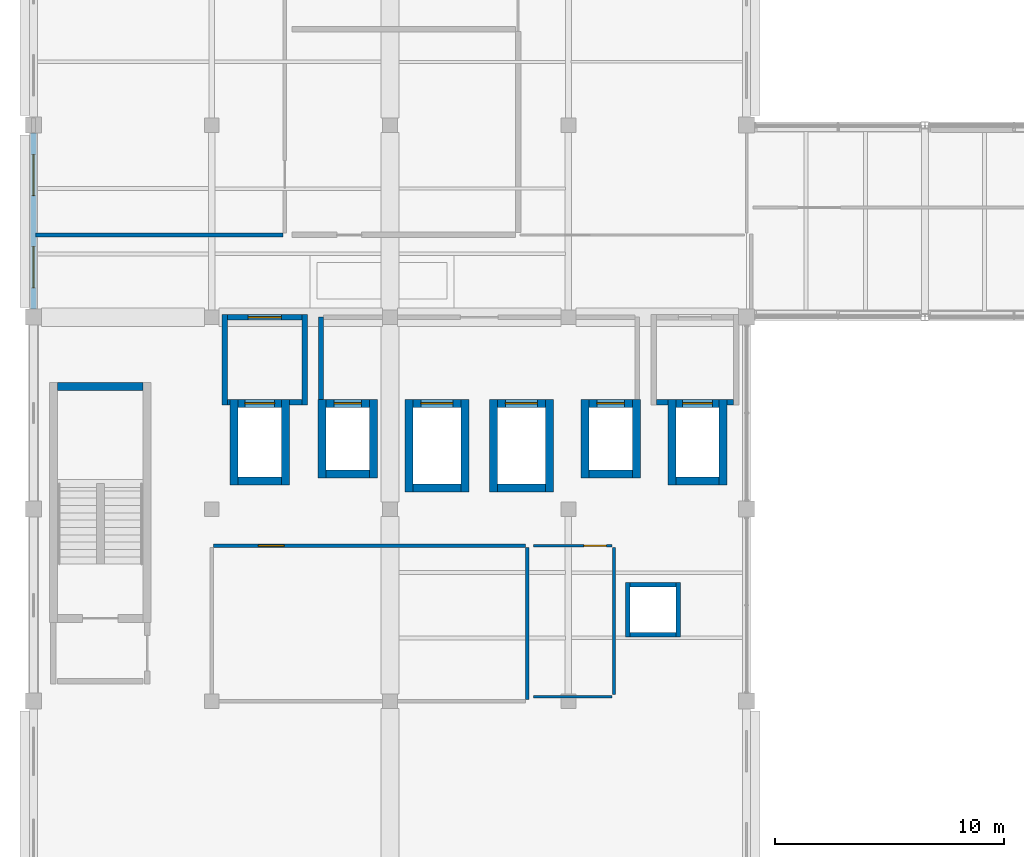
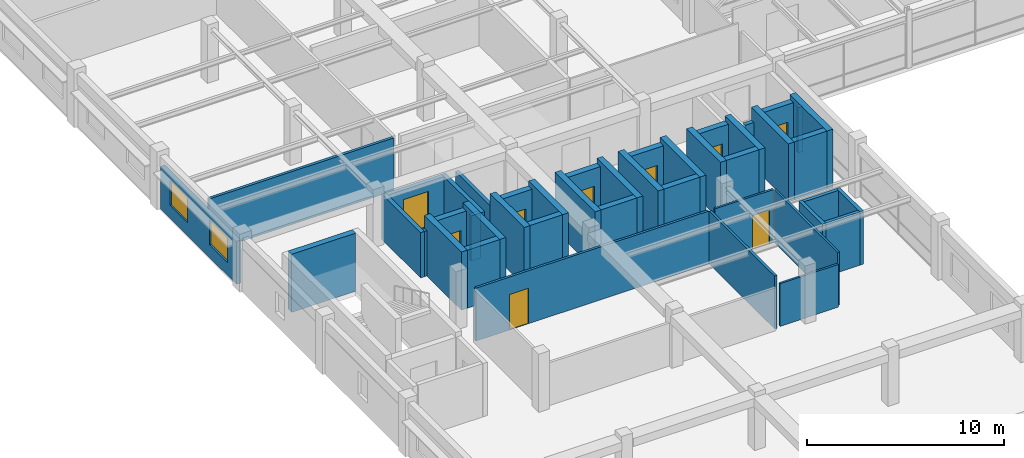
# One storey, part 38 of 49: 44 walls, 9 doors, 2 windows, 11 openings.
"""IFC4 building model written with IfcOpenShell, lengths in metres."""

from ifc_helpers import new_model, si_unit, direction, frame, frame_2d, origin, place, context, subcontext, project, spatial, rectangle, extrude, material, layer, layer_set, type_object, element, fill, save


model = new_model("IFC4")

# Units and contexts
model_context = context("Model", 3, precision=1e-05, world=origin(), true_north=direction((0.0, 1.0)))
body_context = subcontext(model_context, "Body", "Model", "MODEL_VIEW")
ifc_project = project(units=[si_unit("LENGTHUNIT", "METRE"), si_unit("AREAUNIT", "SQUARE_METRE"), si_unit("VOLUMEUNIT", "CUBIC_METRE"), si_unit("PLANEANGLEUNIT", "RADIAN"), si_unit("MASSUNIT", "GRAM", prefix="KILO"), si_unit("THERMODYNAMICTEMPERATUREUNIT", "KELVIN"), si_unit("POWERUNIT", "WATT")], contexts=[model_context])

# Site, building, storey
site_placement = place(None, origin())
site = spatial("IfcSite", under=ifc_project, at=site_placement, CompositionType="ELEMENT")
building_placement = place(site_placement, origin())
building = spatial("IfcBuilding", under=site, at=building_placement, Name="Srebrne Nadtorze General Hospital", CompositionType="ELEMENT")
storey_placement = place(building_placement, frame((0.0, 0.0, 26.10009765625)))
storey = spatial("IfcBuildingStorey", under=building, at=storey_placement, Name="L06", CompositionType="ELEMENT", Elevation=26.10009765625)

# Wall, opening, door
ifc_material_1 = material(Name="Gypsum Healthcare Partition")
ifc_layer_1 = layer(ifc_material_1, 0.139892578125)
ifc_layer_set_1 = layer_set([ifc_layer_1], Name="Gypsum Healthcare Partition")
wall_type_1 = type_object("IfcWallType", Name="Clinical partition 140", PredefinedType="PARTITIONING", material=ifc_layer_set_1)
wall_1_placement = place(storey_placement, frame((31.284912109375, 40.39990234375, 0.0), z_axis=(0.0, 0.0, 1.0), x_axis=(1.0, 0.0, 0.0)))
wall_1 = element("IfcWall", 1, at=wall_1_placement, inside=storey, type_object=wall_type_1, Name="Multidisciplinary Clinical Conference Room wall WL-INT-L06-2195", PredefinedType="PARTITIONING", context=body_context, shape_type="SweptSolid", body=[
    extrude(rectangle(XDim=13.630126953125, YDim=0.139892578125, at=frame_2d((6.81494140625, 0.0))), origin(), (0.0, 0.0, 1.0), 3.27978515625),
])
opening_1_placement = place(wall_1_placement, frame((1.95703125, 0.0, 0.0)))
opening_1 = element("IfcOpeningElement", 2, at=opening_1_placement, cuts=wall_1, Name="Opening D-L06-0473", PredefinedType="OPENING", context=body_context, shape_type="SweptSolid", body=[
    extrude(rectangle(XDim=1.1201171875, YDim=2.199951171875, at=frame_2d((0.56005859375, 1.10009765625))), frame((0.0, 0.08203125, 0.0), z_axis=(0.0, -1.0, 0.0), x_axis=(1.0, 0.0, 0.0)), (0.0, 0.0, 1.0), 0.163818359375),
])
ifc_material_2 = material(Name="Anodised Aluminium", Category="aluminium")
door_type_1 = type_object("IfcDoorType", Name="Single leaf door 1120x2200", OperationType="NOTDEFINED", PredefinedType="DOOR", material=ifc_material_2)
door_1_placement = place(opening_1_placement, frame((1.1201171875, 0.0, 0.0), z_axis=(0.0, 0.0, 1.0), x_axis=(-1.0, 0.0, 0.0)))
door_1 = element("IfcDoor", 3, at=door_1_placement, inside=storey, type_object=door_type_1, Name="Multidisciplinary Clinical Conference Room door D-L06-0473", OperationType="SINGLE_SWING_RIGHT", OverallHeight=2.199951171875, OverallWidth=1.1201171875, PredefinedType="DOOR", context=body_context, shape_type="SweptSolid", body=[
    extrude(rectangle(XDim=1.1201171875, YDim=2.199951171875, at=frame_2d((0.56005859375, 1.10009765625))), frame((0.0, 0.02490234375, 0.0), z_axis=(0.0, -1.0, 0.0), x_axis=(1.0, 0.0, 0.0)), (0.0, 0.0, 1.0), 0.050048828125),
])
fill(opening_1, door_1)

# Walls
wall_2_placement = place(storey_placement, frame((45.0, 33.68505859375, 0.0), z_axis=(0.0, 0.0, 1.0), x_axis=(0.0, 1.0, 0.0)))
element("IfcWall", 4, at=wall_2_placement, inside=storey, type_object=wall_type_1, Name="Multidisciplinary Clinical Conference Room wall WL-INT-L06-2198", PredefinedType="PARTITIONING", context=body_context, shape_type="SweptSolid", body=[
    extrude(rectangle(XDim=6.6298828125, YDim=0.139892578125, at=frame_2d((3.31494140625, 0.0))), origin(), (0.0, 0.0, 1.0), 3.27978515625),
])
ifc_material_3 = material(Name="Gypsum Healthcare Partition")
ifc_layer_2 = layer(ifc_material_3, 0.159912109375)
ifc_layer_set_2 = layer_set([ifc_layer_2], Name="Gypsum Healthcare Partition")
wall_type_2 = type_object("IfcWallType", Name="Clinical partition 160", PredefinedType="PARTITIONING", material=ifc_layer_set_2)
wall_3_placement = place(storey_placement, frame((23.485107421875, 54.0, 0.0), z_axis=(0.0, 0.0, 1.0), x_axis=(1.0, 0.0, 0.0)))
element("IfcWall", 5, at=wall_3_placement, inside=storey, type_object=wall_type_2, Name="Hydrotherapy and Gait Analysis Clinic wall WL-INT-L06-2179", PredefinedType="PARTITIONING", context=body_context, shape_type="SweptSolid", body=[
    extrude(rectangle(XDim=10.829833984375, YDim=0.159912109375, at=frame_2d((5.4150390625, 0.0))), origin(), (0.0, 0.0, 1.0), 3.27978515625),
])
ifc_material_4 = material(Name="Gypsum Healthcare Partition")
ifc_layer_3 = layer(ifc_material_4, 0.199951171875)
ifc_layer_set_3 = layer_set([ifc_layer_3], Name="Gypsum Healthcare Partition")
wall_type_3 = type_object("IfcWallType", Name="Compartment wall 200", PredefinedType="STANDARD", material=ifc_layer_set_3)
wall_4_placement = place(storey_placement, frame((35.97998046875, 46.81005859375, 0.0), z_axis=(0.0, 0.0, 1.0), x_axis=(0.0, 1.0, 0.0)))
element("IfcWall", 6, at=wall_4_placement, inside=storey, type_object=wall_type_3, Name="Lift lobby side wall WL-INT-L06-1127", PredefinedType="STANDARD", context=body_context, shape_type="SweptSolid", body=[
    extrude(rectangle(XDim=3.58984375, YDim=0.199951171875, at=frame_2d((1.794921875, 0.0))), origin(), (0.0, 0.0, 1.0), 2.7998046875),
])
for number, where, z_axis, x_axis, name in (
    (7, (49.39990234375, 36.39990234375, 0.0), (0.0, 0.0, 1.0), (0.0, 1.0, 0.0), "MEP riser wall WL-INT-L06-1138"),
    (8, (51.60009765625, 36.39990234375, 0.0), (0.0, 0.0, 1.0), (0.0, 1.0, 0.0), "MEP riser wall WL-INT-L06-1139"),
):
    element("IfcWall", number, at=place(storey_placement, frame(where, z_axis=z_axis, x_axis=x_axis)), inside=storey, type_object=wall_type_3, Name=name, PredefinedType="STANDARD", context=body_context, shape_type="SweptSolid", body=[
        extrude(rectangle(XDim=2.400146484375, YDim=0.199951171875, at=frame_2d((1.2001953125, 0.0))), origin(), (0.0, 0.0, 1.0), 3.2998046875),
    ])
for number, where, z_axis, x_axis, name in (
    (9, (49.5, 36.5, 0.0), (0.0, 0.0, 1.0), (1.0, 0.0, 0.0), "MEP riser wall WL-INT-L06-1140"),
    (10, (49.5, 38.699951171875, 0.0), (0.0, 0.0, 1.0), (1.0, 0.0, 0.0), "MEP riser wall WL-INT-L06-1141"),
):
    element("IfcWall", number, at=place(storey_placement, frame(where, z_axis=z_axis, x_axis=x_axis)), inside=storey, type_object=wall_type_3, Name=name, PredefinedType="STANDARD", context=body_context, shape_type="SweptSolid", body=[
        extrude(rectangle(XDim=2.0, YDim=0.199951171875, at=frame_2d((1.0, 0.0))), origin(), (0.0, 0.0, 1.0), 3.2998046875),
    ])
ifc_material_5 = material(Name="Gypsum Healthcare Partition")
ifc_layer_4 = layer(ifc_material_5, 0.239990234375)
ifc_layer_set_4 = layer_set([ifc_layer_4], Name="Gypsum Healthcare Partition")
wall_type_4 = type_object("IfcWallType", Name="Corridor fire wall 240", PredefinedType="STANDARD", material=ifc_layer_set_4)
for number, where, z_axis, x_axis, name in (
    (11, (31.760009765625, 46.570068359375, 0.0), (0.0, 0.0, 1.0), (0.0, 1.0, 0.0), "FF lift lobby wall WL-INT-L06-1117"),
    (12, (35.27001953125, 46.570068359375, 0.0), (0.0, 0.0, 1.0), (0.0, 1.0, 0.0), "FF lift lobby wall WL-INT-L06-1118"),
):
    element("IfcWall", number, at=place(storey_placement, frame(where, z_axis=z_axis, x_axis=x_axis)), inside=storey, type_object=wall_type_4, Name=name, PredefinedType="STANDARD", context=body_context, shape_type="SweptSolid", body=[
        extrude(rectangle(XDim=3.949951171875, YDim=0.239990234375, at=frame_2d((1.97509765625, 0.0))), origin(), (0.0, 0.0, 1.0), 2.7998046875),
    ])
wall_5_placement = place(storey_placement, frame((31.8798828125, 46.68994140625, 0.0), z_axis=(0.0, 0.0, 1.0), x_axis=(1.0, 0.0, 0.0)))
element("IfcWall", 13, at=wall_5_placement, inside=storey, type_object=wall_type_4, Name="FF lift lobby return wall WL-INT-L06-1119", PredefinedType="STANDARD", context=body_context, shape_type="SweptSolid", body=[
    extrude(rectangle(XDim=0.1201171875, YDim=0.239990234375, at=frame_2d((0.06005859375, 0.0))), origin(), (0.0, 0.0, 1.0), 2.7998046875),
])
wall_6_placement = place(storey_placement, frame((34.60009765625, 46.68994140625, 0.0), z_axis=(0.0, 0.0, 1.0), x_axis=(1.0, 0.0, 0.0)))
element("IfcWall", 14, at=wall_6_placement, inside=storey, type_object=wall_type_4, Name="FF lift lobby return wall WL-INT-L06-1120", PredefinedType="STANDARD", context=body_context, shape_type="SweptSolid", body=[
    extrude(rectangle(XDim=0.5498046875, YDim=0.239990234375, at=frame_2d((0.27490234375, 0.0))), origin(), (0.0, 0.0, 1.0), 2.7998046875),
])

# Wall, opening, door
wall_7_placement = place(storey_placement, frame((31.8798828125, 50.39990234375, 0.0), z_axis=(0.0, 0.0, 1.0), x_axis=(1.0, 0.0, 0.0)))
wall_7 = element("IfcWall", 15, at=wall_7_placement, inside=storey, type_object=wall_type_4, Name="FF lift lobby front wall WL-INT-L06-1121", PredefinedType="STANDARD", context=body_context, shape_type="SweptSolid", body=[
    extrude(rectangle(XDim=3.27001953125, YDim=0.239990234375, at=frame_2d((1.635009765625, 0.0))), origin(), (0.0, 0.0, 1.0), 2.7998046875),
])
opening_2_placement = place(wall_7_placement, frame((0.909912109375, 0.0, 0.0)))
opening_2 = element("IfcOpeningElement", 16, at=opening_2_placement, cuts=wall_7, Name="Opening D-L06-0152", PredefinedType="OPENING", context=body_context, shape_type="SweptSolid", body=[
    extrude(rectangle(XDim=1.449951171875, YDim=2.199951171875, at=frame_2d((0.72509765625, 1.10009765625))), frame((0.0, 0.1318359375, 0.0), z_axis=(0.0, -1.0, 0.0), x_axis=(1.0, 0.0, 0.0)), (0.0, 0.0, 1.0), 0.263916015625),
])
ifc_material_6 = material(Name="Anodised Aluminium", Category="aluminium")
door_type_2 = type_object("IfcDoorType", Name="Double leaf door 1450x2200", OperationType="DOUBLE_DOOR_SINGLE_SWING", PredefinedType="DOOR", material=ifc_material_6)
door_2_placement = place(opening_2_placement, origin())
door_2 = element("IfcDoor", 17, at=door_2_placement, inside=storey, type_object=door_type_2, Name="Firefighting lift lobby door D-L06-0152", OperationType="DOUBLE_DOOR_SINGLE_SWING", OverallHeight=2.199951171875, OverallWidth=1.449951171875, PredefinedType="DOOR", context=body_context, shape_type="SweptSolid", body=[
    extrude(rectangle(XDim=1.449951171875, YDim=2.199951171875, at=frame_2d((0.72509765625, 1.10009765625))), frame((0.0, 0.02490234375, 0.0), z_axis=(0.0, -1.0, 0.0), x_axis=(1.0, 0.0, 0.0)), (0.0, 0.0, 1.0), 0.050048828125),
])
fill(opening_2, door_2)

# Walls
wall_8_placement = place(storey_placement, frame((50.64990234375, 46.68994140625, 0.0), z_axis=(0.0, 0.0, 1.0), x_axis=(1.0, 0.0, 0.0)))
element("IfcWall", 18, at=wall_8_placement, inside=storey, type_object=wall_type_4, Name="FF lift lobby return wall WL-INT-L06-1124", PredefinedType="STANDARD", context=body_context, shape_type="SweptSolid", body=[
    extrude(rectangle(XDim=0.5, YDim=0.239990234375, at=frame_2d((0.25, 0.0))), origin(), (0.0, 0.0, 1.0), 2.7998046875),
])
wall_9_placement = place(storey_placement, frame((53.75, 46.68994140625, 0.0), z_axis=(0.0, 0.0, 1.0), x_axis=(1.0, 0.0, 0.0)))
element("IfcWall", 19, at=wall_9_placement, inside=storey, type_object=wall_type_4, Name="FF lift lobby return wall WL-INT-L06-1125", PredefinedType="STANDARD", context=body_context, shape_type="SweptSolid", body=[
    extrude(rectangle(XDim=0.27001953125, YDim=0.239990234375, at=frame_2d((0.135009765625, 0.0))), origin(), (0.0, 0.0, 1.0), 2.7998046875),
])

# Wall, opening, door
ifc_material_7 = material(Name="Gypsum Healthcare Partition")
ifc_layer_5 = layer(ifc_material_7, 0.1201171875)
ifc_layer_set_5 = layer_set([ifc_layer_5], Name="Gypsum Healthcare Partition")
wall_type_5 = type_object("IfcWallType", Name="En-suite partition 120", PredefinedType="PARTITIONING", material=ifc_layer_set_5)
wall_10_placement = place(storey_placement, frame((45.284912109375, 40.39990234375, 0.0), z_axis=(0.0, 0.0, 1.0), x_axis=(1.0, 0.0, 0.0)))
wall_10 = element("IfcWall", 20, at=wall_10_placement, inside=storey, type_object=wall_type_5, Name="Staff WC wall WL-INT-L06-2245", PredefinedType="PARTITIONING", context=body_context, shape_type="SweptSolid", body=[
    extrude(rectangle(XDim=3.43017578125, YDim=0.1201171875, at=frame_2d((1.715087890625, 0.0))), origin(), (0.0, 0.0, 1.0), 3.27978515625),
])
opening_3_placement = place(wall_10_placement, frame((2.199951171875, 0.0, 0.0)))
opening_3 = element("IfcOpeningElement", 21, at=opening_3_placement, cuts=wall_10, Name="Opening D-L06-0488", PredefinedType="OPENING", context=body_context, shape_type="SweptSolid", body=[
    extrude(rectangle(XDim=0.97998046875, YDim=2.10009765625, at=frame_2d((0.489990234375, 1.050048828125))), frame((0.0, 0.072021484375, 0.0), z_axis=(0.0, -1.0, 0.0), x_axis=(1.0, 0.0, 0.0)), (0.0, 0.0, 1.0), 0.14404296875),
])
ifc_material_8 = material(Name="Anodised Aluminium", Category="aluminium")
door_type_3 = type_object("IfcDoorType", Name="Single leaf door 980x2100", OperationType="NOTDEFINED", PredefinedType="DOOR", material=ifc_material_8)
door_3_placement = place(opening_3_placement, frame((0.97998046875, 0.0, 0.0), z_axis=(0.0, 0.0, 1.0), x_axis=(-1.0, 0.0, 0.0)))
door_3 = element("IfcDoor", 22, at=door_3_placement, inside=storey, type_object=door_type_3, Name="Staff WC door D-L06-0488", OperationType="SINGLE_SWING_RIGHT", OverallHeight=2.10009765625, OverallWidth=0.97998046875, PredefinedType="DOOR", context=body_context, shape_type="SweptSolid", body=[
    extrude(rectangle(XDim=0.97998046875, YDim=2.10009765625, at=frame_2d((0.489990234375, 1.050048828125))), frame((0.0, 0.02490234375, 0.0), z_axis=(0.0, -1.0, 0.0), x_axis=(1.0, 0.0, 0.0)), (0.0, 0.0, 1.0), 0.050048828125),
])
fill(opening_3, door_3)

# Walls
wall_11_placement = place(storey_placement, frame((45.284912109375, 33.800048828125, 0.0), z_axis=(0.0, 0.0, 1.0), x_axis=(1.0, 0.0, 0.0)))
element("IfcWall", 23, at=wall_11_placement, inside=storey, type_object=wall_type_5, Name="Staff WC wall WL-INT-L06-2246", PredefinedType="PARTITIONING", context=body_context, shape_type="SweptSolid", body=[
    extrude(rectangle(XDim=3.43017578125, YDim=0.1201171875, at=frame_2d((1.715087890625, 0.0))), origin(), (0.0, 0.0, 1.0), 2.64990234375),
])
wall_12_placement = place(storey_placement, frame((48.800048828125, 33.885009765625, 0.0), z_axis=(0.0, 0.0, 1.0), x_axis=(0.0, 1.0, 0.0)))
element("IfcWall", 24, at=wall_12_placement, inside=storey, type_object=wall_type_5, Name="Staff WC wall WL-INT-L06-2247", PredefinedType="PARTITIONING", context=body_context, shape_type="SweptSolid", body=[
    extrude(rectangle(XDim=6.429931640625, YDim=0.1201171875, at=frame_2d((3.21484375, 0.0))), origin(), (0.0, 0.0, 1.0), 3.27978515625),
])
ifc_material_9 = material(Name="Concrete C40/50", Category="concrete")
ifc_layer_6 = layer(ifc_material_9, 0.35009765625)
ifc_layer_set_6 = layer_set([ifc_layer_6], Name="Concrete C40/50")
wall_type_6 = type_object("IfcWallType", Name="Shear core wall 350", PredefinedType="SHEAR", material=ifc_layer_set_6)
for number, where, z_axis, x_axis, name in (
    (25, (24.449951171875, 47.375, 0.0), (0.0, 0.0, 1.0), (1.0, 0.0, 0.0), "Stair core wall ST-01 WL-INT-L06-0379"),
    (26, (32.175048828125, 43.06005859375, 0.0), (0.0, 0.0, 1.0), (0.0, 1.0, 0.0), "Lift shaft wall FL-01 WL-INT-L06-0494"),
    (27, (34.425048828125, 43.06005859375, 0.0), (0.0, 0.0, 1.0), (0.0, 1.0, 0.0), "Lift shaft wall FL-01 WL-INT-L06-0495"),
):
    element("IfcWall", number, at=place(storey_placement, frame(where, z_axis=z_axis, x_axis=x_axis)), inside=storey, type_object=wall_type_6, Name=name, PredefinedType="SHEAR", context=body_context, shape_type="SweptSolid", body=[
        extrude(rectangle(XDim=3.75, YDim=0.35009765625, at=frame_2d((1.875, 0.0))), origin(), (0.0, 0.0, 1.0), 3.599853515625),
    ])
wall_13_placement = place(storey_placement, frame((32.35009765625, 43.235107421875, 0.0), z_axis=(0.0, 0.0, 1.0), x_axis=(1.0, 0.0, 0.0)))
element("IfcWall", 28, at=wall_13_placement, inside=storey, type_object=wall_type_6, Name="Lift shaft back wall FL-01 WL-INT-L06-0496", PredefinedType="SHEAR", context=body_context, shape_type="SweptSolid", body=[
    extrude(rectangle(XDim=1.89990234375, YDim=0.35009765625, at=frame_2d((0.949951171875, 0.0))), origin(), (0.0, 0.0, 1.0), 3.599853515625),
])

# Wall, opening, door
wall_14_placement = place(storey_placement, frame((32.35009765625, 46.635009765625, 0.0), z_axis=(0.0, 0.0, 1.0), x_axis=(1.0, 0.0, 0.0)))
wall_14 = element("IfcWall", 29, at=wall_14_placement, inside=storey, type_object=wall_type_6, Name="Lift shaft front wall FL-01 WL-INT-L06-0497", PredefinedType="SHEAR", context=body_context, shape_type="SweptSolid", body=[
    extrude(rectangle(XDim=1.89990234375, YDim=0.35009765625, at=frame_2d((0.949951171875, 0.0))), origin(), (0.0, 0.0, 1.0), 3.2998046875),
])
opening_4_placement = place(wall_14_placement, frame((0.300048828125, 0.0, 0.0)))
opening_4 = element("IfcOpeningElement", 30, at=opening_4_placement, cuts=wall_14, Name="Opening LD-L06-008", PredefinedType="OPENING", context=body_context, shape_type="SweptSolid", body=[
    extrude(rectangle(XDim=1.300048828125, YDim=2.199951171875, at=frame_2d((0.64990234375, 1.10009765625))), frame((0.0, 0.18701171875, 0.0), z_axis=(0.0, -1.0, 0.0), x_axis=(1.0, 0.0, 0.0)), (0.0, 0.0, 1.0), 0.3740234375),
])
ifc_material_10 = material(Name="Anodised Aluminium", Category="aluminium")
door_type_4 = type_object("IfcDoorType", Name="Sliding lift door 1300x2200", OperationType="SLIDING_TO_LEFT", PredefinedType="DOOR", material=ifc_material_10)
door_4_placement = place(opening_4_placement, origin())
door_4 = element("IfcDoor", 31, at=door_4_placement, inside=storey, type_object=door_type_4, Name="Lift Landing Door LD-L06-008", OperationType="SLIDING_TO_LEFT", OverallHeight=2.199951171875, OverallWidth=1.300048828125, PredefinedType="DOOR", context=body_context, shape_type="SweptSolid", body=[
    extrude(rectangle(XDim=1.300048828125, YDim=2.199951171875, at=frame_2d((0.64990234375, 1.10009765625))), frame((0.0, 0.02490234375, 0.0), z_axis=(0.0, -1.0, 0.0), x_axis=(1.0, 0.0, 0.0)), (0.0, 0.0, 1.0), 0.050048828125),
])
fill(opening_4, door_4)

# Walls
for number, where, z_axis, x_axis, name in (
    (32, (36.02490234375, 43.360107421875, 0.0), (0.0, 0.0, 1.0), (0.0, 1.0, 0.0), "Lift shaft wall LP-01 WL-INT-L06-0534"),
    (33, (38.27490234375, 43.360107421875, 0.0), (0.0, 0.0, 1.0), (0.0, 1.0, 0.0), "Lift shaft wall LP-01 WL-INT-L06-0535"),
):
    element("IfcWall", number, at=place(storey_placement, frame(where, z_axis=z_axis, x_axis=x_axis)), inside=storey, type_object=wall_type_6, Name=name, PredefinedType="SHEAR", context=body_context, shape_type="SweptSolid", body=[
        extrude(rectangle(XDim=3.449951171875, YDim=0.35009765625, at=frame_2d((1.72509765625, 0.0))), origin(), (0.0, 0.0, 1.0), 3.599853515625),
    ])
wall_15_placement = place(storey_placement, frame((36.199951171875, 43.534912109375, 0.0), z_axis=(0.0, 0.0, 1.0), x_axis=(1.0, 0.0, 0.0)))
element("IfcWall", 34, at=wall_15_placement, inside=storey, type_object=wall_type_6, Name="Lift shaft back wall LP-01 WL-INT-L06-0536", PredefinedType="SHEAR", context=body_context, shape_type="SweptSolid", body=[
    extrude(rectangle(XDim=1.900146484375, YDim=0.35009765625, at=frame_2d((0.9501953125, 0.0))), origin(), (0.0, 0.0, 1.0), 3.599853515625),
])

# Wall, opening, door
wall_16_placement = place(storey_placement, frame((36.199951171875, 46.635009765625, 0.0), z_axis=(0.0, 0.0, 1.0), x_axis=(1.0, 0.0, 0.0)))
wall_16 = element("IfcWall", 35, at=wall_16_placement, inside=storey, type_object=wall_type_6, Name="Lift shaft front wall LP-01 WL-INT-L06-0537", PredefinedType="SHEAR", context=body_context, shape_type="SweptSolid", body=[
    extrude(rectangle(XDim=1.900146484375, YDim=0.35009765625, at=frame_2d((0.9501953125, 0.0))), origin(), (0.0, 0.0, 1.0), 3.2998046875),
])
opening_5_placement = place(wall_16_placement, frame((0.35009765625, 0.0, 0.0)))
opening_5 = element("IfcOpeningElement", 36, at=opening_5_placement, cuts=wall_16, Name="Opening LD-L06-018", PredefinedType="OPENING", context=body_context, shape_type="SweptSolid", body=[
    extrude(rectangle(XDim=1.199951171875, YDim=2.199951171875, at=frame_2d((0.60009765625, 1.10009765625))), frame((0.0, 0.18701171875, 0.0), z_axis=(0.0, -1.0, 0.0), x_axis=(1.0, 0.0, 0.0)), (0.0, 0.0, 1.0), 0.3740234375),
])
ifc_material_11 = material(Name="Anodised Aluminium", Category="aluminium")
door_type_5 = type_object("IfcDoorType", Name="Sliding lift door 1200x2200", OperationType="SLIDING_TO_LEFT", PredefinedType="DOOR", material=ifc_material_11)
door_5_placement = place(opening_5_placement, origin())
door_5 = element("IfcDoor", 37, at=door_5_placement, inside=storey, type_object=door_type_5, Name="Lift Landing Door LD-L06-018", OperationType="SLIDING_TO_LEFT", OverallHeight=2.199951171875, OverallWidth=1.199951171875, PredefinedType="DOOR", context=body_context, shape_type="SweptSolid", body=[
    extrude(rectangle(XDim=1.199951171875, YDim=2.199951171875, at=frame_2d((0.60009765625, 1.10009765625))), frame((0.0, 0.02490234375, 0.0), z_axis=(0.0, -1.0, 0.0), x_axis=(1.0, 0.0, 0.0)), (0.0, 0.0, 1.0), 0.050048828125),
])
fill(opening_5, door_5)

# Walls
for number, where, z_axis, x_axis, name in (
    (38, (39.824951171875, 42.760009765625, 0.0), (0.0, 0.0, 1.0), (0.0, 1.0, 0.0), "Lift shaft wall LS-01 WL-INT-L06-0570"),
    (39, (42.27490234375, 42.760009765625, 0.0), (0.0, 0.0, 1.0), (0.0, 1.0, 0.0), "Lift shaft wall LS-01 WL-INT-L06-0571"),
):
    element("IfcWall", number, at=place(storey_placement, frame(where, z_axis=z_axis, x_axis=x_axis)), inside=storey, type_object=wall_type_6, Name=name, PredefinedType="SHEAR", context=body_context, shape_type="SweptSolid", body=[
        extrude(rectangle(XDim=4.050048828125, YDim=0.35009765625, at=frame_2d((2.02490234375, 0.0))), origin(), (0.0, 0.0, 1.0), 3.599853515625),
    ])
wall_17_placement = place(storey_placement, frame((40.0, 42.93505859375, 0.0), z_axis=(0.0, 0.0, 1.0), x_axis=(1.0, 0.0, 0.0)))
element("IfcWall", 40, at=wall_17_placement, inside=storey, type_object=wall_type_6, Name="Lift shaft back wall LS-01 WL-INT-L06-0572", PredefinedType="SHEAR", context=body_context, shape_type="SweptSolid", body=[
    extrude(rectangle(XDim=2.10009765625, YDim=0.35009765625, at=frame_2d((1.050048828125, 0.0))), origin(), (0.0, 0.0, 1.0), 3.599853515625),
])

# Wall, opening, door
wall_18_placement = place(storey_placement, frame((40.0, 46.635009765625, 0.0), z_axis=(0.0, 0.0, 1.0), x_axis=(1.0, 0.0, 0.0)))
wall_18 = element("IfcWall", 41, at=wall_18_placement, inside=storey, type_object=wall_type_6, Name="Lift shaft front wall LS-01 WL-INT-L06-0573", PredefinedType="SHEAR", context=body_context, shape_type="SweptSolid", body=[
    extrude(rectangle(XDim=2.10009765625, YDim=0.35009765625, at=frame_2d((1.050048828125, 0.0))), origin(), (0.0, 0.0, 1.0), 3.2998046875),
])
opening_6_placement = place(wall_18_placement, frame((0.35009765625, 0.0, 0.0)))
opening_6 = element("IfcOpeningElement", 42, at=opening_6_placement, cuts=wall_18, Name="Opening LD-L06-027", PredefinedType="OPENING", context=body_context, shape_type="SweptSolid", body=[
    extrude(rectangle(XDim=1.39990234375, YDim=2.199951171875, at=frame_2d((0.699951171875, 1.10009765625))), frame((0.0, 0.18701171875, 0.0), z_axis=(0.0, -1.0, 0.0), x_axis=(1.0, 0.0, 0.0)), (0.0, 0.0, 1.0), 0.3740234375),
])
ifc_material_12 = material(Name="Anodised Aluminium", Category="aluminium")
door_type_6 = type_object("IfcDoorType", Name="Sliding lift door 1400x2200", OperationType="SLIDING_TO_LEFT", PredefinedType="DOOR", material=ifc_material_12)
door_6_placement = place(opening_6_placement, origin())
door_6 = element("IfcDoor", 43, at=door_6_placement, inside=storey, type_object=door_type_6, Name="Lift Landing Door LD-L06-027", OperationType="SLIDING_TO_LEFT", OverallHeight=2.199951171875, OverallWidth=1.39990234375, PredefinedType="DOOR", context=body_context, shape_type="SweptSolid", body=[
    extrude(rectangle(XDim=1.39990234375, YDim=2.199951171875, at=frame_2d((0.699951171875, 1.10009765625))), frame((0.0, 0.02490234375, 0.0), z_axis=(0.0, -1.0, 0.0), x_axis=(1.0, 0.0, 0.0)), (0.0, 0.0, 1.0), 0.050048828125),
])
fill(opening_6, door_6)

# Walls
for number, where, z_axis, x_axis, name in (
    (44, (43.52490234375, 42.760009765625, 0.0), (0.0, 0.0, 1.0), (0.0, 1.0, 0.0), "Lift shaft wall LS-02 WL-INT-L06-0610"),
    (45, (45.97509765625, 42.760009765625, 0.0), (0.0, 0.0, 1.0), (0.0, 1.0, 0.0), "Lift shaft wall LS-02 WL-INT-L06-0611"),
):
    element("IfcWall", number, at=place(storey_placement, frame(where, z_axis=z_axis, x_axis=x_axis)), inside=storey, type_object=wall_type_6, Name=name, PredefinedType="SHEAR", context=body_context, shape_type="SweptSolid", body=[
        extrude(rectangle(XDim=4.050048828125, YDim=0.35009765625, at=frame_2d((2.02490234375, 0.0))), origin(), (0.0, 0.0, 1.0), 3.599853515625),
    ])
wall_19_placement = place(storey_placement, frame((43.699951171875, 42.93505859375, 0.0), z_axis=(0.0, 0.0, 1.0), x_axis=(1.0, 0.0, 0.0)))
element("IfcWall", 46, at=wall_19_placement, inside=storey, type_object=wall_type_6, Name="Lift shaft back wall LS-02 WL-INT-L06-0612", PredefinedType="SHEAR", context=body_context, shape_type="SweptSolid", body=[
    extrude(rectangle(XDim=2.10009765625, YDim=0.35009765625, at=frame_2d((1.050048828125, 0.0))), origin(), (0.0, 0.0, 1.0), 3.599853515625),
])

# Wall, opening, door
wall_20_placement = place(storey_placement, frame((43.699951171875, 46.635009765625, 0.0), z_axis=(0.0, 0.0, 1.0), x_axis=(1.0, 0.0, 0.0)))
wall_20 = element("IfcWall", 47, at=wall_20_placement, inside=storey, type_object=wall_type_6, Name="Lift shaft front wall LS-02 WL-INT-L06-0613", PredefinedType="SHEAR", context=body_context, shape_type="SweptSolid", body=[
    extrude(rectangle(XDim=2.10009765625, YDim=0.35009765625, at=frame_2d((1.050048828125, 0.0))), origin(), (0.0, 0.0, 1.0), 3.2998046875),
])
opening_7_placement = place(wall_20_placement, frame((0.35009765625, 0.0, 0.0)))
opening_7 = element("IfcOpeningElement", 48, at=opening_7_placement, cuts=wall_20, Name="Opening LD-L06-037", PredefinedType="OPENING", context=body_context, shape_type="SweptSolid", body=[
    extrude(rectangle(XDim=1.39990234375, YDim=2.199951171875, at=frame_2d((0.699951171875, 1.10009765625))), frame((0.0, 0.18701171875, 0.0), z_axis=(0.0, -1.0, 0.0), x_axis=(1.0, 0.0, 0.0)), (0.0, 0.0, 1.0), 0.3740234375),
])
door_7_placement = place(opening_7_placement, origin())
door_7 = element("IfcDoor", 49, at=door_7_placement, inside=storey, type_object=door_type_6, Name="Lift Landing Door LD-L06-037", OperationType="SLIDING_TO_LEFT", OverallHeight=2.199951171875, OverallWidth=1.39990234375, PredefinedType="DOOR", context=body_context, shape_type="SweptSolid", body=[
    extrude(rectangle(XDim=1.39990234375, YDim=2.199951171875, at=frame_2d((0.699951171875, 1.10009765625))), frame((0.0, 0.02490234375, 0.0), z_axis=(0.0, -1.0, 0.0), x_axis=(1.0, 0.0, 0.0)), (0.0, 0.0, 1.0), 0.050048828125),
])
fill(opening_7, door_7)

# Walls
for number, where, z_axis, x_axis, name in (
    (50, (47.52490234375, 43.360107421875, 0.0), (0.0, 0.0, 1.0), (0.0, 1.0, 0.0), "Lift shaft wall LP-02 WL-INT-L06-0650"),
    (51, (49.77490234375, 43.360107421875, 0.0), (0.0, 0.0, 1.0), (0.0, 1.0, 0.0), "Lift shaft wall LP-02 WL-INT-L06-0651"),
):
    element("IfcWall", number, at=place(storey_placement, frame(where, z_axis=z_axis, x_axis=x_axis)), inside=storey, type_object=wall_type_6, Name=name, PredefinedType="SHEAR", context=body_context, shape_type="SweptSolid", body=[
        extrude(rectangle(XDim=3.449951171875, YDim=0.35009765625, at=frame_2d((1.72509765625, 0.0))), origin(), (0.0, 0.0, 1.0), 3.599853515625),
    ])
wall_21_placement = place(storey_placement, frame((47.699951171875, 43.534912109375, 0.0), z_axis=(0.0, 0.0, 1.0), x_axis=(1.0, 0.0, 0.0)))
element("IfcWall", 52, at=wall_21_placement, inside=storey, type_object=wall_type_6, Name="Lift shaft back wall LP-02 WL-INT-L06-0652", PredefinedType="SHEAR", context=body_context, shape_type="SweptSolid", body=[
    extrude(rectangle(XDim=1.900146484375, YDim=0.35009765625, at=frame_2d((0.9501953125, 0.0))), origin(), (0.0, 0.0, 1.0), 3.599853515625),
])

# Wall, opening, door
wall_22_placement = place(storey_placement, frame((47.699951171875, 46.635009765625, 0.0), z_axis=(0.0, 0.0, 1.0), x_axis=(1.0, 0.0, 0.0)))
wall_22 = element("IfcWall", 53, at=wall_22_placement, inside=storey, type_object=wall_type_6, Name="Lift shaft front wall LP-02 WL-INT-L06-0653", PredefinedType="SHEAR", context=body_context, shape_type="SweptSolid", body=[
    extrude(rectangle(XDim=1.900146484375, YDim=0.35009765625, at=frame_2d((0.9501953125, 0.0))), origin(), (0.0, 0.0, 1.0), 3.2998046875),
])
opening_8_placement = place(wall_22_placement, frame((0.35009765625, 0.0, 0.0)))
opening_8 = element("IfcOpeningElement", 54, at=opening_8_placement, cuts=wall_22, Name="Opening LD-L06-047", PredefinedType="OPENING", context=body_context, shape_type="SweptSolid", body=[
    extrude(rectangle(XDim=1.199951171875, YDim=2.199951171875, at=frame_2d((0.60009765625, 1.10009765625))), frame((0.0, 0.18701171875, 0.0), z_axis=(0.0, -1.0, 0.0), x_axis=(1.0, 0.0, 0.0)), (0.0, 0.0, 1.0), 0.3740234375),
])
door_8_placement = place(opening_8_placement, origin())
door_8 = element("IfcDoor", 55, at=door_8_placement, inside=storey, type_object=door_type_5, Name="Lift Landing Door LD-L06-047", OperationType="SLIDING_TO_LEFT", OverallHeight=2.199951171875, OverallWidth=1.199951171875, PredefinedType="DOOR", context=body_context, shape_type="SweptSolid", body=[
    extrude(rectangle(XDim=1.199951171875, YDim=2.199951171875, at=frame_2d((0.60009765625, 1.10009765625))), frame((0.0, 0.02490234375, 0.0), z_axis=(0.0, -1.0, 0.0), x_axis=(1.0, 0.0, 0.0)), (0.0, 0.0, 1.0), 0.050048828125),
])
fill(opening_8, door_8)

# Walls
for number, where, z_axis, x_axis, name in (
    (56, (51.324951171875, 43.06005859375, 0.0), (0.0, 0.0, 1.0), (0.0, 1.0, 0.0), "Lift shaft wall FL-02 WL-INT-L06-0686"),
    (57, (53.574951171875, 43.06005859375, 0.0), (0.0, 0.0, 1.0), (0.0, 1.0, 0.0), "Lift shaft wall FL-02 WL-INT-L06-0687"),
):
    element("IfcWall", number, at=place(storey_placement, frame(where, z_axis=z_axis, x_axis=x_axis)), inside=storey, type_object=wall_type_6, Name=name, PredefinedType="SHEAR", context=body_context, shape_type="SweptSolid", body=[
        extrude(rectangle(XDim=3.75, YDim=0.35009765625, at=frame_2d((1.875, 0.0))), origin(), (0.0, 0.0, 1.0), 3.599853515625),
    ])
wall_23_placement = place(storey_placement, frame((51.5, 43.235107421875, 0.0), z_axis=(0.0, 0.0, 1.0), x_axis=(1.0, 0.0, 0.0)))
element("IfcWall", 58, at=wall_23_placement, inside=storey, type_object=wall_type_6, Name="Lift shaft back wall FL-02 WL-INT-L06-0688", PredefinedType="SHEAR", context=body_context, shape_type="SweptSolid", body=[
    extrude(rectangle(XDim=1.89990234375, YDim=0.35009765625, at=frame_2d((0.949951171875, 0.0))), origin(), (0.0, 0.0, 1.0), 3.599853515625),
])

# Wall, opening, door
wall_24_placement = place(storey_placement, frame((51.5, 46.635009765625, 0.0), z_axis=(0.0, 0.0, 1.0), x_axis=(1.0, 0.0, 0.0)))
wall_24 = element("IfcWall", 59, at=wall_24_placement, inside=storey, type_object=wall_type_6, Name="Lift shaft front wall FL-02 WL-INT-L06-0689", PredefinedType="SHEAR", context=body_context, shape_type="SweptSolid", body=[
    extrude(rectangle(XDim=1.89990234375, YDim=0.35009765625, at=frame_2d((0.949951171875, 0.0))), origin(), (0.0, 0.0, 1.0), 3.2998046875),
])
opening_9_placement = place(wall_24_placement, frame((0.300048828125, 0.0, 0.0)))
opening_9 = element("IfcOpeningElement", 60, at=opening_9_placement, cuts=wall_24, Name="Opening LD-L06-056", PredefinedType="OPENING", context=body_context, shape_type="SweptSolid", body=[
    extrude(rectangle(XDim=1.300048828125, YDim=2.199951171875, at=frame_2d((0.64990234375, 1.10009765625))), frame((0.0, 0.18701171875, 0.0), z_axis=(0.0, -1.0, 0.0), x_axis=(1.0, 0.0, 0.0)), (0.0, 0.0, 1.0), 0.3740234375),
])
door_9_placement = place(opening_9_placement, origin())
door_9 = element("IfcDoor", 61, at=door_9_placement, inside=storey, type_object=door_type_4, Name="Lift Landing Door LD-L06-056", OperationType="SLIDING_TO_LEFT", OverallHeight=2.199951171875, OverallWidth=1.300048828125, PredefinedType="DOOR", context=body_context, shape_type="SweptSolid", body=[
    extrude(rectangle(XDim=1.300048828125, YDim=2.199951171875, at=frame_2d((0.64990234375, 1.10009765625))), frame((0.0, 0.02490234375, 0.0), z_axis=(0.0, -1.0, 0.0), x_axis=(1.0, 0.0, 0.0)), (0.0, 0.0, 1.0), 0.050048828125),
])
fill(opening_9, door_9)

# Wall, openings, windows
ifc_material_13 = material(Name="Concrete C35/45 precast", Category="concrete")
ifc_layer_7 = layer(ifc_material_13, 0.260009765625)
ifc_layer_set_7 = layer_set([ifc_layer_7], Name="Concrete C35/45 precast")
wall_type_7 = type_object("IfcWallType", Name="Spandrel wall 260", PredefinedType="STANDARD", material=ifc_layer_set_7)
wall_25_placement = place(storey_placement, frame((23.39990234375, 50.75, 0.0), z_axis=(0.0, 0.0, 1.0), x_axis=(0.0, 1.0, 0.0)))
wall_25 = element("IfcWall", 62, at=wall_25_placement, inside=storey, type_object=wall_type_7, Name="Exterior wall WL-ENV-L06-0484", PredefinedType="STANDARD", context=body_context, shape_type="SweptSolid", body=[
    extrude(rectangle(XDim=7.699951171875, YDim=0.260009765625, at=frame_2d((3.85009765625, 0.0))), origin(), (0.0, 0.0, 1.0), 2.64990234375),
])
opening_10_placement = place(wall_25_placement, frame((0.93408203125, 0.0, 0.800048828125)))
opening_10 = element("IfcOpeningElement", 63, at=opening_10_placement, cuts=wall_25, Name="Opening WN-L06-0801", PredefinedType="OPENING", context=body_context, shape_type="SweptSolid", body=[
    extrude(rectangle(XDim=1.800048828125, YDim=1.550048828125, at=frame_2d((0.89990234375, 0.77490234375))), frame((0.0, 0.14208984375, 0.0), z_axis=(0.0, -1.0, 0.0), x_axis=(1.0, 0.0, 0.0)), (0.0, 0.0, 1.0), 0.283935546875),
])
opening_11_placement = place(wall_25_placement, frame((4.966064453125, 0.0, 0.800048828125)))
opening_11 = element("IfcOpeningElement", 64, at=opening_11_placement, cuts=wall_25, Name="Opening WN-L06-0802", PredefinedType="OPENING", context=body_context, shape_type="SweptSolid", body=[
    extrude(rectangle(XDim=1.800048828125, YDim=1.550048828125, at=frame_2d((0.89990234375, 0.77490234375))), frame((0.0, 0.14208984375, 0.0), z_axis=(0.0, -1.0, 0.0), x_axis=(1.0, 0.0, 0.0)), (0.0, 0.0, 1.0), 0.283935546875),
])
ifc_material_14 = material(Name="Triple Low-E Glazing", Category="glass")
window_type = type_object("IfcWindowType", Name="Punched clinical window 1800x1550", PartitioningType="DOUBLE_PANEL_VERTICAL", PredefinedType="WINDOW", material=ifc_material_14)
window_1_placement = place(opening_10_placement, origin())
window_1 = element("IfcWindow", 65, at=window_1_placement, inside=storey, type_object=window_type, Name="Clinical window WN-L06-0801", OverallHeight=1.550048828125, OverallWidth=1.800048828125, PartitioningType="DOUBLE_PANEL_VERTICAL", PredefinedType="WINDOW", context=body_context, shape_type="SweptSolid", body=[
    extrude(rectangle(XDim=1.800048828125, YDim=1.550048828125, at=frame_2d((0.89990234375, 0.77490234375))), frame((0.0, 0.030029296875, 0.0), z_axis=(0.0, -1.0, 0.0), x_axis=(1.0, 0.0, 0.0)), (0.0, 0.0, 1.0), 0.06005859375),
])
fill(opening_10, window_1)
window_2_placement = place(opening_11_placement, origin())
window_2 = element("IfcWindow", 66, at=window_2_placement, inside=storey, type_object=window_type, Name="Clinical window WN-L06-0802", OverallHeight=1.550048828125, OverallWidth=1.800048828125, PartitioningType="DOUBLE_PANEL_VERTICAL", PredefinedType="WINDOW", context=body_context, shape_type="SweptSolid", body=[
    extrude(rectangle(XDim=1.800048828125, YDim=1.550048828125, at=frame_2d((0.89990234375, 0.77490234375))), frame((0.0, 0.030029296875, 0.0), z_axis=(0.0, -1.0, 0.0), x_axis=(1.0, 0.0, 0.0)), (0.0, 0.0, 1.0), 0.06005859375),
])
fill(opening_11, window_2)

save(model, "model.ifc")
